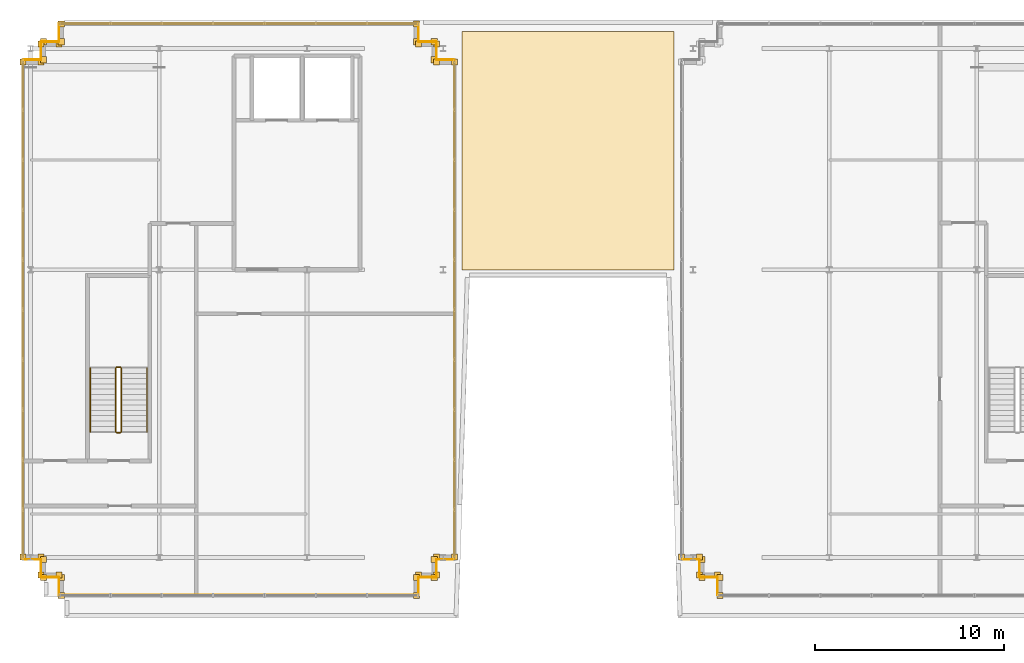
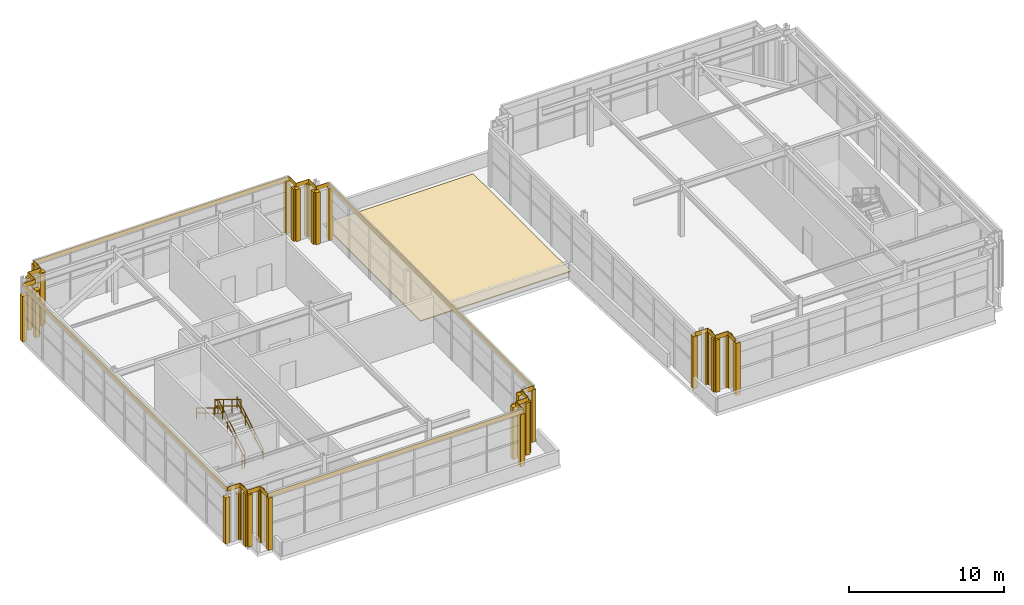
# One storey, part 30 of 31: 65 coverings, 6 railings.
"""IFC4 building model written with IfcOpenShell, lengths in metres."""

from ifc_helpers import new_model, si_unit, direction, frame, origin, origin_2d, place, context, subcontext, project, spatial, polyline, rectangle, outline, extrude, source, transform, mapped, material, layer, layer_set, type_object, element, save


model = new_model("IFC4")

# Units and contexts
model_context = context("Model", 3, precision=1e-05, world=origin(), true_north=direction((0.0, 1.0)))
body_context = subcontext(model_context, "Body", "Model", "MODEL_VIEW")
ifc_project = project(units=[si_unit("LENGTHUNIT", "METRE"), si_unit("AREAUNIT", "SQUARE_METRE"), si_unit("VOLUMEUNIT", "CUBIC_METRE"), si_unit("PLANEANGLEUNIT", "RADIAN"), si_unit("MASSUNIT", "GRAM", prefix="KILO")], contexts=[model_context])

# Site, building, storey
site_placement = place(None, origin())
site = spatial("IfcSite", under=ifc_project, at=site_placement, CompositionType="ELEMENT")
building_placement = place(site_placement, origin())
building = spatial("IfcBuilding", under=site, at=building_placement, Name="Trelvane Seafront Commons", CompositionType="ELEMENT")
storey_placement = place(building_placement, frame((0.0, 0.0, 307.89990234375)))
storey = spatial("IfcBuildingStorey", under=building, at=storey_placement, Name="L80", CompositionType="ELEMENT", Elevation=307.89990234375)

# Covering
ifc_material_1 = material(Name="Polymer-Modified Bitumen Membrane")
ifc_layer_1 = layer(ifc_material_1, 0.080078125, Name="ARCH-COV-ROOF80")
ifc_layer_set_1 = layer_set([ifc_layer_1], Name="Polymer-Modified Bitumen Membrane")
covering_type_1 = type_object("IfcCoveringType", Name="ARCH-COV-ROOF80", PredefinedType="ROOFING", material=ifc_layer_set_1)
covering_placement = place(storey_placement, origin())
element("IfcCovering", 1, at=covering_placement, inside=storey, type_object=covering_type_1, Name="COV-ROOF-L80-08", PredefinedType="ROOFING", context=body_context, shape_type="SweptSolid", body=[
    extrude(outline(polyline([(31.60009765625, 33.39990234375), (42.800048828125, 33.39990234375), (42.800048828125, 46.0), (31.60009765625, 46.0), (31.60009765625, 33.39990234375)])), origin(), (0.0, 0.0, 1.0), 0.080078125),
])

# Railings
ifc_material_2 = material(Name="Stainless steel balustrade", Category="steel")
railing_type_1 = type_object("IfcRailingType", Name="ARCH-SRL-GUARD", PredefinedType="GUARDRAIL", material=ifc_material_2)
railing_1_placement = place(storey_placement, frame((13.60009765625, 24.85009765625, 0.16943359375)))
element("IfcRailing", 2, at=railing_1_placement, inside=storey, type_object=railing_type_1, Name="L80 ST-5 stair guard 1", PredefinedType="GUARDRAIL", context=body_context, shape_type="SweptSolid", body=[
    extrude(rectangle(XDim=0.048095703125, YDim=0.048095703125, at=origin_2d()), frame((0.0, 0.0, 1.076171875), z_axis=(0.0, 0.855820338506, 0.51727318527), x_axis=(-1.0, 0.0, 0.0)), (0.0, 0.0, 1.0), 3.92578125),
    extrude(rectangle(XDim=0.048095703125, YDim=0.048095703125, at=origin_2d()), frame((0.0, 0.0, 0.572021484375), z_axis=(0.0, 0.855820338506, 0.51727318527), x_axis=(-1.0, 0.0, 0.0)), (0.0, 0.0, 1.0), 3.92578125),
    extrude(rectangle(XDim=0.0419921875, YDim=0.0419921875, at=origin_2d()), origin(), (0.0, 0.0, 1.0), 1.076171875),
    extrude(rectangle(XDim=0.0419921875, YDim=0.0419921875, at=origin_2d()), frame((0.0, 1.119873046875, 0.677001953125)), (0.0, 0.0, 1.0), 1.076171875),
    extrude(rectangle(XDim=0.0419921875, YDim=0.0419921875, at=origin_2d()), frame((0.0, 2.239990234375, 1.353759765625)), (0.0, 0.0, 1.0), 1.076171875),
    extrude(rectangle(XDim=0.0419921875, YDim=0.0419921875, at=origin_2d()), frame((0.0, 3.35986328125, 2.03076171875)), (0.0, 0.0, 1.0), 1.076171875),
])
railing_2_placement = place(storey_placement, frame((13.550048828125, 28.260009765625, 2.2001953125)))
element("IfcRailing", 3, at=railing_2_placement, inside=storey, type_object=railing_type_1, Name="L80 ST-5 stair guard 2", PredefinedType="GUARDRAIL", context=body_context, shape_type="SweptSolid", body=[
    extrude(rectangle(XDim=0.048095703125, YDim=0.048095703125, at=origin_2d()), frame((0.0, 0.0, 1.076171875), z_axis=(-1.0, 0.0, 0.0), x_axis=(0.0, -1.0, 0.0)), (0.0, 0.0, 1.0), 0.199951171875),
    extrude(rectangle(XDim=0.048095703125, YDim=0.048095703125, at=origin_2d()), frame((0.0, 0.0, 0.572021484375), z_axis=(-1.0, 0.0, 0.0), x_axis=(0.0, -1.0, 0.0)), (0.0, 0.0, 1.0), 0.199951171875),
    extrude(rectangle(XDim=0.0419921875, YDim=0.0419921875, at=origin_2d()), origin(), (0.0, 0.0, 1.0), 1.076171875),
    extrude(rectangle(XDim=0.0419921875, YDim=0.0419921875, at=origin_2d()), frame((-0.199951171875, 0.0, 0.0)), (0.0, 0.0, 1.0), 1.076171875),
])
railing_3_placement = place(storey_placement, frame((13.300048828125, 28.2099609375, 2.369384765625)))
element("IfcRailing", 4, at=railing_3_placement, inside=storey, type_object=railing_type_1, Name="L80 ST-5 stair guard 3", PredefinedType="GUARDRAIL", context=body_context, shape_type="SweptSolid", body=[
    extrude(rectangle(XDim=0.048095703125, YDim=0.048095703125, at=origin_2d()), frame((0.0, 0.0, 1.076171875), z_axis=(0.0, -0.855820338506, 0.51727318527), x_axis=(1.0, 0.0, 0.0)), (0.0, 0.0, 1.0), 3.92578125),
    extrude(rectangle(XDim=0.048095703125, YDim=0.048095703125, at=origin_2d()), frame((0.0, 0.0, 0.572021484375), z_axis=(0.0, -0.855820338506, 0.51727318527), x_axis=(1.0, 0.0, 0.0)), (0.0, 0.0, 1.0), 3.92578125),
    extrude(rectangle(XDim=0.0419921875, YDim=0.0419921875, at=origin_2d()), origin(), (0.0, 0.0, 1.0), 1.076171875),
    extrude(rectangle(XDim=0.0419921875, YDim=0.0419921875, at=origin_2d()), frame((0.0, -1.119873046875, 0.677001953125)), (0.0, 0.0, 1.0), 1.076171875),
    extrude(rectangle(XDim=0.0419921875, YDim=0.0419921875, at=origin_2d()), frame((0.0, -2.239990234375, 1.353759765625)), (0.0, 0.0, 1.0), 1.076171875),
    extrude(rectangle(XDim=0.0419921875, YDim=0.0419921875, at=origin_2d()), frame((0.0, -3.35986328125, 2.03076171875)), (0.0, 0.0, 1.0), 1.076171875),
])
railing_4_placement = place(storey_placement, frame((13.550048828125, 24.800048828125, 0.0)))
element("IfcRailing", 5, at=railing_4_placement, inside=storey, type_object=railing_type_1, Name="L80 ST-5 stair guard 4", PredefinedType="GUARDRAIL", context=body_context, shape_type="SweptSolid", body=[
    extrude(rectangle(XDim=0.048095703125, YDim=0.048095703125, at=origin_2d()), frame((0.0, 0.0, 1.076171875), z_axis=(-1.0, 0.0, 0.0), x_axis=(0.0, -1.0, 0.0)), (0.0, 0.0, 1.0), 0.199951171875),
    extrude(rectangle(XDim=0.048095703125, YDim=0.048095703125, at=origin_2d()), frame((0.0, 0.0, 0.572021484375), z_axis=(-1.0, 0.0, 0.0), x_axis=(0.0, -1.0, 0.0)), (0.0, 0.0, 1.0), 0.199951171875),
    extrude(rectangle(XDim=0.0419921875, YDim=0.0419921875, at=origin_2d()), origin(), (0.0, 0.0, 1.0), 1.076171875),
    extrude(rectangle(XDim=0.0419921875, YDim=0.0419921875, at=origin_2d()), frame((-0.199951171875, 0.0, 0.0)), (0.0, 0.0, 1.0), 1.076171875),
])
railing_type_2 = type_object("IfcRailingType", Name="ARCH-SRL-HAND", PredefinedType="HANDRAIL", material=ifc_material_2)
railing_5_placement = place(storey_placement, frame((14.949951171875, 24.85009765625, 0.16943359375)))
element("IfcRailing", 6, at=railing_5_placement, inside=storey, type_object=railing_type_2, Name="L80 ST-5 stair handrail 1", PredefinedType="HANDRAIL", context=body_context, shape_type="SweptSolid", body=[
    extrude(rectangle(XDim=0.048095703125, YDim=0.048095703125, at=origin_2d()), frame((0.0, 0.0, 0.8759765625), z_axis=(0.0, 0.855820338506, 0.51727318527), x_axis=(-1.0, 0.0, 0.0)), (0.0, 0.0, 1.0), 3.92578125),
    extrude(rectangle(XDim=0.048095703125, YDim=0.048095703125, at=origin_2d()), frame((0.0, 0.0, 0.468017578125), z_axis=(0.0, 0.855820338506, 0.51727318527), x_axis=(-1.0, 0.0, 0.0)), (0.0, 0.0, 1.0), 3.92578125),
    extrude(rectangle(XDim=0.0419921875, YDim=0.0419921875, at=origin_2d()), origin(), (0.0, 0.0, 1.0), 0.8759765625),
    extrude(rectangle(XDim=0.0419921875, YDim=0.0419921875, at=origin_2d()), frame((0.0, 1.119873046875, 0.677001953125)), (0.0, 0.0, 1.0), 0.8759765625),
    extrude(rectangle(XDim=0.0419921875, YDim=0.0419921875, at=origin_2d()), frame((0.0, 2.239990234375, 1.353759765625)), (0.0, 0.0, 1.0), 0.8759765625),
    extrude(rectangle(XDim=0.0419921875, YDim=0.0419921875, at=origin_2d()), frame((0.0, 3.35986328125, 2.03076171875)), (0.0, 0.0, 1.0), 0.8759765625),
])
railing_6_placement = place(storey_placement, frame((11.949951171875, 28.2099609375, 2.369384765625)))
element("IfcRailing", 7, at=railing_6_placement, inside=storey, type_object=railing_type_2, Name="L80 ST-5 stair handrail 2", PredefinedType="HANDRAIL", context=body_context, shape_type="SweptSolid", body=[
    extrude(rectangle(XDim=0.048095703125, YDim=0.048095703125, at=origin_2d()), frame((0.0, 0.0, 0.8759765625), z_axis=(0.0, -0.855820338506, 0.51727318527), x_axis=(1.0, 0.0, 0.0)), (0.0, 0.0, 1.0), 3.92578125),
    extrude(rectangle(XDim=0.048095703125, YDim=0.048095703125, at=origin_2d()), frame((0.0, 0.0, 0.468017578125), z_axis=(0.0, -0.855820338506, 0.51727318527), x_axis=(1.0, 0.0, 0.0)), (0.0, 0.0, 1.0), 3.92578125),
    extrude(rectangle(XDim=0.0419921875, YDim=0.0419921875, at=origin_2d()), origin(), (0.0, 0.0, 1.0), 0.8759765625),
    extrude(rectangle(XDim=0.0419921875, YDim=0.0419921875, at=origin_2d()), frame((0.0, -1.119873046875, 0.677001953125)), (0.0, 0.0, 1.0), 0.8759765625),
    extrude(rectangle(XDim=0.0419921875, YDim=0.0419921875, at=origin_2d()), frame((0.0, -2.239990234375, 1.353759765625)), (0.0, 0.0, 1.0), 0.8759765625),
    extrude(rectangle(XDim=0.0419921875, YDim=0.0419921875, at=origin_2d()), frame((0.0, -3.35986328125, 2.03076171875)), (0.0, 0.0, 1.0), 0.8759765625),
])

# Coverings
ifc_material_3 = material(Name="Anodised pale-silver aluminium", Category="aluminium")
ifc_layer_2 = layer(ifc_material_3, 0.034912109375, Name="ARCH-COV-CLAD35")
ifc_layer_set_2 = layer_set([ifc_layer_2], Name="Anodised pale-silver aluminium")
covering_type_2 = type_object("IfcCoveringType", Name="ARCH-COV-CLAD35", PredefinedType="CLADDING", material=ifc_layer_set_2)
shared_shape_1 = source(origin(), body_context, "Body", "SweptSolid", [
    extrude(rectangle(XDim=0.320068359375, YDim=0.320068359375, at=origin_2d()), origin(), (0.0, 0.0, 1.0), 4.10009765625),
])
for number, where, z_axis, x_axis, name in (
    (8, (10.300048828125, 17.27001953125, 0.0), (0.0, 0.0, 1.0), (1.0, 0.0, 0.0), "CLD-CP-L80-00423"),
    (9, (9.35009765625, 17.27001953125, 0.0), (0.0, 0.0, 1.0), (1.0, 0.0, 0.0), "CLD-CP-L80-00424"),
    (10, (9.469970703125, 17.14990234375, 0.0), (0.0, 0.0, 1.0), (1.0, 0.0, 0.0), "CLD-CP-L80-00426"),
    (11, (9.469970703125, 18.10009765625, 0.0), (0.0, 0.0, 1.0), (1.0, 0.0, 0.0), "CLD-CP-L80-00427"),
    (12, (9.35009765625, 45.330078125, 0.0), (0.0, 0.0, 1.0), (1.0, 0.0, 0.0), "CLD-CP-L80-00439"),
    (13, (10.300048828125, 45.330078125, 0.0), (0.0, 0.0, 1.0), (1.0, 0.0, 0.0), "CLD-CP-L80-00440"),
    (14, (10.419921875, 45.449951171875, 0.0), (0.0, 0.0, 1.0), (1.0, 0.0, 0.0), "CLD-CP-L80-00442"),
    (15, (10.419921875, 46.39990234375, 0.0), (0.0, 0.0, 1.0), (1.0, 0.0, 0.0), "CLD-CP-L80-00443"),
    (16, (29.179931640625, 46.39990234375, 0.0), (0.0, 0.0, 1.0), (1.0, 0.0, 0.0), "CLD-CP-L80-00446"),
    (17, (29.179931640625, 45.449951171875, 0.0), (0.0, 0.0, 1.0), (1.0, 0.0, 0.0), "CLD-CP-L80-00447"),
    (18, (29.300048828125, 45.330078125, 0.0), (0.0, 0.0, 1.0), (1.0, 0.0, 0.0), "CLD-CP-L80-00449"),
    (19, (30.25, 45.330078125, 0.0), (0.0, 0.0, 1.0), (1.0, 0.0, 0.0), "CLD-CP-L80-00450"),
    (20, (30.1298828125, 45.449951171875, 0.0), (0.0, 0.0, 1.0), (1.0, 0.0, 0.0), "CLD-CP-L80-00452"),
    (21, (30.1298828125, 44.5, 0.0), (0.0, 0.0, 1.0), (1.0, 0.0, 0.0), "CLD-CP-L80-00453"),
    (22, (30.25, 44.3798828125, 0.0), (0.0, 0.0, 1.0), (1.0, 0.0, 0.0), "CLD-CP-L80-00455"),
    (23, (31.199951171875, 44.3798828125, 0.0), (0.0, 0.0, 1.0), (1.0, 0.0, 0.0), "CLD-CP-L80-00456"),
    (24, (31.199951171875, 18.219970703125, 0.0), (0.0, 0.0, 1.0), (1.0, 0.0, 0.0), "CLD-CP-L80-00459"),
    (25, (30.25, 18.219970703125, 0.0), (0.0, 0.0, 1.0), (1.0, 0.0, 0.0), "CLD-CP-L80-00460"),
    (26, (30.1298828125, 18.10009765625, 0.0), (0.0, 0.0, 1.0), (1.0, 0.0, 0.0), "CLD-CP-L80-00462"),
    (27, (30.1298828125, 17.14990234375, 0.0), (0.0, 0.0, 1.0), (1.0, 0.0, 0.0), "CLD-CP-L80-00463"),
    (28, (30.25, 17.27001953125, 0.0), (0.0, 0.0, 1.0), (1.0, 0.0, 0.0), "CLD-CP-L80-00465"),
    (29, (29.300048828125, 17.27001953125, 0.0), (0.0, 0.0, 1.0), (1.0, 0.0, 0.0), "CLD-CP-L80-00466"),
    (30, (29.179931640625, 17.14990234375, 0.0), (0.0, 0.0, 1.0), (1.0, 0.0, 0.0), "CLD-CP-L80-00468"),
    (31, (29.179931640625, 16.199951171875, 0.0), (0.0, 0.0, 1.0), (1.0, 0.0, 0.0), "CLD-CP-L80-00469"),
    (32, (10.419921875, 16.199951171875, 0.0), (0.0, 0.0, 1.0), (1.0, 0.0, 0.0), "CLD-CP-L80-00472"),
    (33, (10.419921875, 17.14990234375, 0.0), (0.0, 0.0, 1.0), (1.0, 0.0, 0.0), "CLD-CP-L80-00473"),
    (34, (45.10009765625, 17.27001953125, 0.0), (0.0, 0.0, 1.0), (1.0, 0.0, 0.0), "CLD-CP-L80-00475"),
    (35, (44.14990234375, 17.27001953125, 0.0), (0.0, 0.0, 1.0), (1.0, 0.0, 0.0), "CLD-CP-L80-00476"),
    (36, (44.27001953125, 17.14990234375, 0.0), (0.0, 0.0, 1.0), (1.0, 0.0, 0.0), "CLD-CP-L80-00478"),
    (37, (44.27001953125, 18.10009765625, 0.0), (0.0, 0.0, 1.0), (1.0, 0.0, 0.0), "CLD-CP-L80-00479"),
    (38, (44.14990234375, 18.219970703125, 0.0), (0.0, 0.0, 1.0), (1.0, 0.0, 0.0), "CLD-CP-L80-00481"),
    (39, (43.199951171875, 18.219970703125, 0.0), (0.0, 0.0, 1.0), (1.0, 0.0, 0.0), "CLD-CP-L80-00482"),
    (40, (45.219970703125, 16.199951171875, 0.0), (0.0, 0.0, 1.0), (1.0, 0.0, 0.0), "CLD-CP-L80-00524"),
    (41, (45.219970703125, 17.14990234375, 0.0), (0.0, 0.0, 1.0), (1.0, 0.0, 0.0), "CLD-CP-L80-00525"),
):
    element("IfcCovering", number, at=place(storey_placement, frame(where, z_axis=z_axis, x_axis=x_axis)), inside=storey, type_object=covering_type_2, Name=name, PredefinedType="CLADDING", context=body_context, shape_type="MappedRepresentation", body=[
        mapped(shared_shape_1, transform((0.0, 0.0, 0.0), x_axis=(1.0, 0.0, 0.0), y_axis=(0.0, 1.0, 0.0), z_axis=(0.0, 0.0, 1.0), scale=1.0)),
    ])
shared_shape_2 = source(origin(), body_context, "Body", "SweptSolid", [
    extrude(rectangle(XDim=0.320068359375, YDim=0.320068359375, at=origin_2d()), origin(), (0.0, 0.0, 1.0), 3.60009765625),
])
for number, where, z_axis, x_axis, name in (
    (42, (9.35009765625, 18.219970703125, 0.0), (0.0, 0.0, 1.0), (1.0, 0.0, 0.0), "CLD-CP-L80-00429"),
    (43, (8.39990234375, 18.219970703125, 0.0), (0.0, 0.0, 1.0), (1.0, 0.0, 0.0), "CLD-CP-L80-00430"),
    (44, (8.39990234375, 44.3798828125, 0.0), (0.0, 0.0, 1.0), (1.0, 0.0, 0.0), "CLD-CP-L80-00433"),
    (45, (9.35009765625, 44.3798828125, 0.0), (0.0, 0.0, 1.0), (1.0, 0.0, 0.0), "CLD-CP-L80-00434"),
    (46, (9.469970703125, 44.5, 0.0), (0.0, 0.0, 1.0), (1.0, 0.0, 0.0), "CLD-CP-L80-00436"),
    (47, (9.469970703125, 45.449951171875, 0.0), (0.0, 0.0, 1.0), (1.0, 0.0, 0.0), "CLD-CP-L80-00437"),
):
    element("IfcCovering", number, at=place(storey_placement, frame(where, z_axis=z_axis, x_axis=x_axis)), inside=storey, type_object=covering_type_2, Name=name, PredefinedType="CLADDING", context=body_context, shape_type="MappedRepresentation", body=[
        mapped(shared_shape_2, transform((0.0, 0.0, 0.0), x_axis=(1.0, 0.0, 0.0), y_axis=(0.0, 1.0, 0.0), z_axis=(0.0, 0.0, 1.0), scale=1.0)),
    ])
shared_shape_3 = source(origin(), body_context, "Body", "SweptSolid", [
    extrude(rectangle(XDim=0.949951171875, YDim=0.034912109375, at=origin_2d()), origin(), (0.0, 0.0, 1.0), 0.35009765625),
])
for number, where, z_axis, x_axis, name in (
    (48, (9.824951171875, 17.14990234375, 4.050048828125), (0.0, 0.0, 1.0), (-1.0, 0.0, 0.0), "CLD-L80-0425"),
    (49, (9.35009765625, 17.625, 4.050048828125), (0.0, 0.0, 1.0), (0.0, 1.0, 0.0), "CLD-L80-0428"),
    (50, (8.875, 18.10009765625, 4.050048828125), (0.0, 0.0, 1.0), (-1.0, 0.0, 0.0), "CLD-L80-0431"),
    (51, (8.875, 44.5, 4.050048828125), (0.0, 0.0, 1.0), (1.0, 0.0, 0.0), "CLD-L80-0435"),
    (52, (9.35009765625, 44.97509765625, 4.050048828125), (0.0, 0.0, 1.0), (0.0, 1.0, 0.0), "CLD-L80-0438"),
    (53, (9.824951171875, 45.449951171875, 4.050048828125), (0.0, 0.0, 1.0), (1.0, 0.0, 0.0), "CLD-L80-0441"),
    (54, (10.300048828125, 45.925048828125, 4.050048828125), (0.0, 0.0, 1.0), (0.0, 1.0, 0.0), "CLD-L80-0444"),
    (55, (29.300048828125, 45.925048828125, 4.050048828125), (0.0, 0.0, 1.0), (0.0, -1.0, 0.0), "CLD-L80-0448"),
    (56, (29.77490234375, 45.449951171875, 4.050048828125), (0.0, 0.0, 1.0), (1.0, 0.0, 0.0), "CLD-L80-0451"),
    (57, (30.25, 44.97509765625, 4.050048828125), (0.0, 0.0, 1.0), (0.0, -1.0, 0.0), "CLD-L80-0454"),
    (58, (30.72509765625, 44.5, 4.050048828125), (0.0, 0.0, 1.0), (1.0, 0.0, 0.0), "CLD-L80-0457"),
    (59, (30.72509765625, 18.10009765625, 4.050048828125), (0.0, 0.0, 1.0), (-1.0, 0.0, 0.0), "CLD-L80-0461"),
    (60, (30.25, 17.625, 4.050048828125), (0.0, 0.0, 1.0), (0.0, -1.0, 0.0), "CLD-L80-0464"),
    (61, (29.77490234375, 17.14990234375, 4.050048828125), (0.0, 0.0, 1.0), (-1.0, 0.0, 0.0), "CLD-L80-0467"),
    (62, (29.300048828125, 16.675048828125, 4.050048828125), (0.0, 0.0, 1.0), (0.0, -1.0, 0.0), "CLD-L80-0470"),
    (63, (10.300048828125, 16.675048828125, 4.050048828125), (0.0, 0.0, 1.0), (0.0, 1.0, 0.0), "CLD-L80-0474"),
    (64, (44.625, 17.14990234375, 4.050048828125), (0.0, 0.0, 1.0), (-1.0, 0.0, 0.0), "CLD-L80-0477"),
    (65, (44.14990234375, 17.625, 4.050048828125), (0.0, 0.0, 1.0), (0.0, 1.0, 0.0), "CLD-L80-0480"),
    (66, (43.675048828125, 18.10009765625, 4.050048828125), (0.0, 0.0, 1.0), (-1.0, 0.0, 0.0), "CLD-L80-0483"),
    (67, (45.10009765625, 16.675048828125, 4.050048828125), (0.0, 0.0, 1.0), (0.0, 1.0, 0.0), "CLD-L80-0526"),
):
    element("IfcCovering", number, at=place(storey_placement, frame(where, z_axis=z_axis, x_axis=x_axis)), inside=storey, type_object=covering_type_2, Name=name, PredefinedType="CLADDING", context=body_context, shape_type="MappedRepresentation", body=[
        mapped(shared_shape_3, transform((0.0, 0.0, 0.0), x_axis=(1.0, 0.0, 0.0), y_axis=(0.0, 1.0, 0.0), z_axis=(0.0, 0.0, 1.0), scale=1.0)),
    ])
shared_shape_4 = source(origin(), body_context, "Body", "SweptSolid", [
    extrude(rectangle(XDim=26.39990234375, YDim=0.034912109375, at=origin_2d()), origin(), (0.0, 0.0, 1.0), 0.35009765625),
])
for number, where, z_axis, x_axis, name in (
    (68, (8.39990234375, 31.300048828125, 4.050048828125), (0.0, 0.0, 1.0), (0.0, 1.0, 0.0), "CLD-L80-0432"),
    (69, (31.199951171875, 31.300048828125, 4.050048828125), (0.0, 0.0, 1.0), (0.0, -1.0, 0.0), "CLD-L80-0458"),
):
    element("IfcCovering", number, at=place(storey_placement, frame(where, z_axis=z_axis, x_axis=x_axis)), inside=storey, type_object=covering_type_2, Name=name, PredefinedType="CLADDING", context=body_context, shape_type="MappedRepresentation", body=[
        mapped(shared_shape_4, transform((0.0, 0.0, 0.0), x_axis=(1.0, 0.0, 0.0), y_axis=(0.0, 1.0, 0.0), z_axis=(0.0, 0.0, 1.0), scale=1.0)),
    ])
shared_shape_5 = source(origin(), body_context, "Body", "SweptSolid", [
    extrude(rectangle(XDim=19.0, YDim=0.034912109375, at=origin_2d()), origin(), (0.0, 0.0, 1.0), 0.35009765625),
])
for number, where, z_axis, x_axis, name in (
    (70, (19.800048828125, 46.39990234375, 4.050048828125), (0.0, 0.0, 1.0), (1.0, 0.0, 0.0), "CLD-L80-0445"),
    (71, (19.800048828125, 16.199951171875, 4.050048828125), (0.0, 0.0, 1.0), (-1.0, 0.0, 0.0), "CLD-L80-0471"),
):
    element("IfcCovering", number, at=place(storey_placement, frame(where, z_axis=z_axis, x_axis=x_axis)), inside=storey, type_object=covering_type_2, Name=name, PredefinedType="CLADDING", context=body_context, shape_type="MappedRepresentation", body=[
        mapped(shared_shape_5, transform((0.0, 0.0, 0.0), x_axis=(1.0, 0.0, 0.0), y_axis=(0.0, 1.0, 0.0), z_axis=(0.0, 0.0, 1.0), scale=1.0)),
    ])

save(model, "model.ifc")
